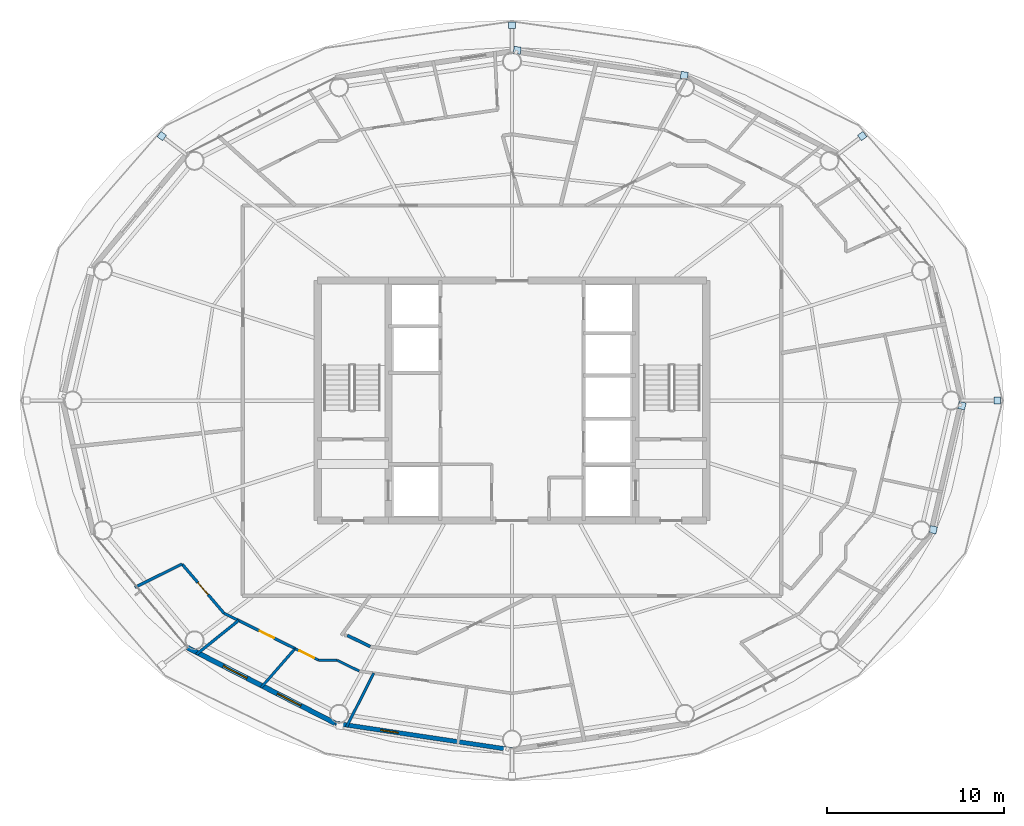
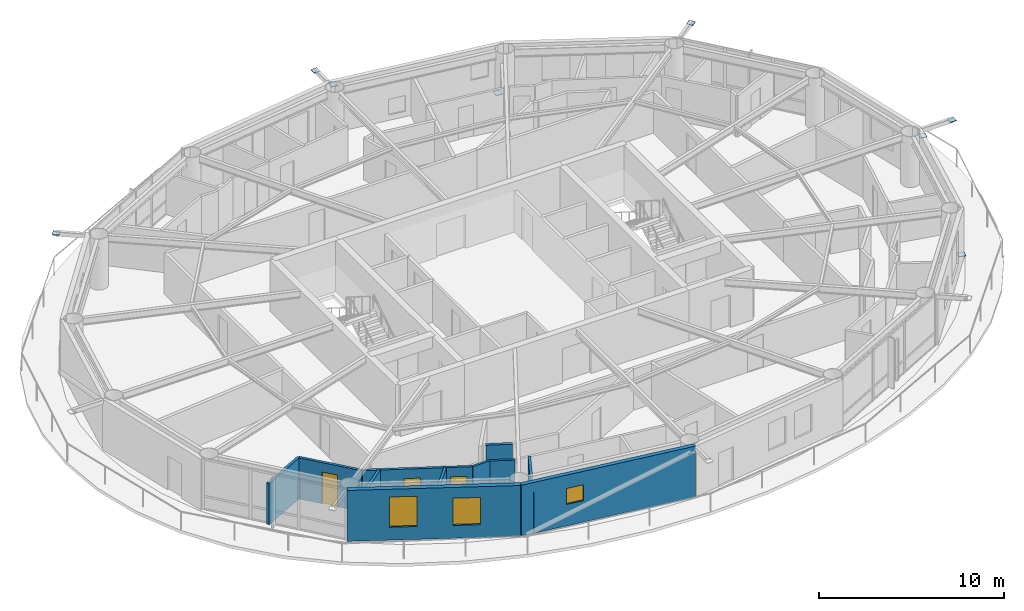
# One storey, part 15 of 23: 12 walls, 8 plates, 3 doors, 3 windows, 6 openings.
"""IFC4 building model written with IfcOpenShell, lengths in metres."""

from ifc_helpers import new_model, si_unit, direction, frame, frame_2d, origin, origin_2d, place, context, subcontext, project, spatial, rectangle, extrude, material, layer, layer_set, type_object, element, fill, save


model = new_model("IFC4")

# Units and contexts
model_context = context("Model", 3, precision=1e-05, world=origin(), true_north=direction((0.0, 1.0)))
body_context = subcontext(model_context, "Body", "Model", "MODEL_VIEW")
ifc_project = project(units=[si_unit("LENGTHUNIT", "METRE"), si_unit("AREAUNIT", "SQUARE_METRE"), si_unit("VOLUMEUNIT", "CUBIC_METRE"), si_unit("PLANEANGLEUNIT", "RADIAN"), si_unit("MASSUNIT", "GRAM", prefix="KILO")], contexts=[model_context])

# Site, building, storey
site_placement = place(None, origin())
site = spatial("IfcSite", under=ifc_project, at=site_placement, CompositionType="ELEMENT")
building_placement = place(site_placement, origin())
building = spatial("IfcBuilding", under=site, at=building_placement, Name="Sarneth Arch Tower", CompositionType="ELEMENT")
storey_placement = place(building_placement, frame((0.0, 0.0, 249.60009765625)))
storey = spatial("IfcBuildingStorey", under=building, at=storey_placement, Name="L64", CompositionType="ELEMENT", Elevation=249.60009765625)

# Plates
ifc_material_1 = material(Name="Steel S355", Category="steel")
ifc_layer_1 = layer(ifc_material_1, 0.035888671875)
ifc_layer_set_1 = layer_set([ifc_layer_1], Name="Steel S355")
plate_type = type_object("IfcPlateType", Name="PLT-GUSSET-30", PredefinedType="SHEET", material=ifc_layer_set_1)
for number, where, z_axis, x_axis, name in (
    (1, (75.483154296875, 42.0, 3.18212890625), (0.0, 0.0, 1.0), (1.0, 0.0, 0.0), "Steel end cap plate GP-1"),
    (2, (67.83056640625, 56.977783203125, 3.18212890625), (0.0, 0.0, 1.0), (0.798004853043, 0.602651022168, 0.0), "Steel end cap plate GP-1"),
):
    element("IfcPlate", number, at=place(storey_placement, frame(where, z_axis=z_axis, x_axis=x_axis)), inside=storey, type_object=plate_type, Name=name, PredefinedType="SHEET", context=body_context, shape_type="SweptSolid", body=[
        extrude(rectangle(XDim=0.3798828125, YDim=0.3798828125, at=origin_2d()), origin(), (0.0, 0.0, 1.0), 0.035888671875),
    ])
for number, where, z_axis, x_axis, name in (
    (3, (57.754150390625, 60.411376953125, 0.001953125), (0.0, 0.0, 1.0), (-0.988860535448, 0.148845024885, 0.0), "Steel end cap plate GP-1"),
    (4, (48.296630859375, 61.83544921875, 3.0185546875), (0.0, 0.0, 1.0), (-0.988860535448, 0.148845024885, 0.0), "Steel end cap plate GP-1"),
):
    element("IfcPlate", number, at=place(storey_placement, frame(where, z_axis=z_axis, x_axis=x_axis)), inside=storey, type_object=plate_type, Name=name, PredefinedType="SHEET", context=body_context, shape_type="SweptSolid", body=[
        extrude(rectangle(XDim=0.404052734375, YDim=0.404052734375, at=origin_2d()), origin(), (0.0, 0.0, 1.0), 0.035888671875),
    ])
for number, where, z_axis, x_axis, name in (
    (5, (48.0, 63.25, 3.18212890625), (0.0, 0.0, 1.0), (0.0, 1.0, 0.0), "Steel end cap plate GP-1"),
    (6, (28.16943359375, 56.977783203125, 3.18212890625), (0.0, 0.0, 1.0), (-0.798004853043, 0.602651022168, 0.0), "Steel end cap plate GP-1"),
):
    element("IfcPlate", number, at=place(storey_placement, frame(where, z_axis=z_axis, x_axis=x_axis)), inside=storey, type_object=plate_type, Name=name, PredefinedType="SHEET", context=body_context, shape_type="SweptSolid", body=[
        extrude(rectangle(XDim=0.3798828125, YDim=0.3798828125, at=origin_2d()), origin(), (0.0, 0.0, 1.0), 0.035888671875),
    ])
for number, where, z_axis, x_axis, name in (
    (7, (71.851806640625, 34.6845703125, 0.001953125), (0.0, 0.0, 1.0), (0.225461202458, 0.974252147129, 0.0), "Steel end cap plate GP-1"),
    (8, (73.4765625, 41.707763671875, 3.0185546875), (0.0, 0.0, 1.0), (0.225461202458, 0.974252147129, 0.0), "Steel end cap plate GP-1"),
):
    element("IfcPlate", number, at=place(storey_placement, frame(where, z_axis=z_axis, x_axis=x_axis)), inside=storey, type_object=plate_type, Name=name, PredefinedType="SHEET", context=body_context, shape_type="SweptSolid", body=[
        extrude(rectangle(XDim=0.404052734375, YDim=0.404052734375, at=origin_2d()), origin(), (0.0, 0.0, 1.0), 0.035888671875),
    ])

# Wall, opening, window
ifc_material_2 = material(Name="Extruded terracotta rainscreen on Concrete C40/50 backing", Category="masonry")
ifc_layer_2 = layer(ifc_material_2, 0.25)
ifc_layer_set_2 = layer_set([ifc_layer_2], Name="Extruded terracotta rainscreen on Concrete C40/50 backing")
wall_type_1 = type_object("IfcWallType", Name="WALL-EXT-SPAND-250", PredefinedType="SOLIDWALL", material=ifc_layer_set_2)
wall_1_placement = place(storey_placement, frame((37.9873046875, 23.7255859375, 0.0), z_axis=(0.0, 0.0, 1.0), x_axis=(0.988882522213, -0.148698881169, 0.0)))
wall_1 = element("IfcWall", 9, at=wall_1_placement, inside=storey, type_object=wall_type_1, Name="L64 Terracotta perimeter wall 12", PredefinedType="SOLIDWALL", context=body_context, shape_type="SweptSolid", body=[
    extrude(rectangle(XDim=10.125244140625, YDim=0.25, at=frame_2d((5.0625, 0.0))), origin(), (0.0, 0.0, 1.0), 3.35986328125),
])
opening_1_placement = place(wall_1_placement, frame((2.614013671875, 0.0, 1.419921875)))
opening_1 = element("IfcOpeningElement", 10, at=opening_1_placement, cuts=wall_1, Name="Opening W-14", PredefinedType="OPENING", context=body_context, shape_type="SweptSolid", body=[
    extrude(rectangle(XDim=1.0, YDim=1.050048828125, at=frame_2d((0.5, 0.52490234375))), frame((0.0, 0.135009765625, 0.0), z_axis=(0.0, -1.0, 0.0), x_axis=(1.0, 0.0, 0.0)), (0.0, 0.0, 1.0), 0.27001953125),
])
ifc_material_3 = material(Name="Thermally broken Aluminium 6063-T6 and low-e laminated IGU", Category="aluminium")
window_type_1 = type_object("IfcWindowType", Name="WIN-TWR-1000x1050", PartitioningType="SINGLE_PANEL", PredefinedType="WINDOW", material=ifc_material_3)
window_1_placement = place(opening_1_placement, origin())
window_1 = element("IfcWindow", 11, at=window_1_placement, inside=storey, type_object=window_type_1, Name="L64 Dwelling bedroom window 03", OverallHeight=1.050048828125, OverallWidth=1.0, PartitioningType="SINGLE_PANEL", PredefinedType="WINDOW", context=body_context, shape_type="SweptSolid", body=[
    extrude(rectangle(XDim=1.0, YDim=1.050048828125, at=frame_2d((0.5, 0.52490234375))), frame((0.0, 0.030029296875, 0.0), z_axis=(0.0, -1.0, 0.0), x_axis=(1.0, 0.0, 0.0)), (0.0, 0.0, 1.0), 0.06005859375),
])
fill(opening_1, window_1)

# Wall, openings, windows
ifc_material_4 = material(Name="Extruded terracotta rainscreen on Concrete C40/50 backing", Category="masonry")
ifc_layer_3 = layer(ifc_material_4, 0.280029296875)
ifc_layer_set_3 = layer_set([ifc_layer_3], Name="Extruded terracotta rainscreen on Concrete C40/50 backing")
wall_type_2 = type_object("IfcWallType", Name="WALL-EXT-TERRA-280", PredefinedType="SOLIDWALL", material=ifc_layer_set_3)
wall_2_placement = place(storey_placement, frame((29.617431640625, 28.013427734375, 0.0), z_axis=(0.0, 0.0, 1.0), x_axis=(0.890007394051, -0.455946091699, 0.0)))
wall_2 = element("IfcWall", 12, at=wall_2_placement, inside=storey, type_object=wall_type_2, Name="L64 Terracotta perimeter wall 11", PredefinedType="SOLIDWALL", context=body_context, shape_type="SweptSolid", body=[
    extrude(rectangle(XDim=9.404296875, YDim=0.280029296875, at=frame_2d((4.7021484375, 0.0))), origin(), (0.0, 0.0, 1.0), 3.35986328125),
])
opening_2_placement = place(wall_2_placement, frame((2.28564453125, 0.0, 0.85009765625)))
opening_2 = element("IfcOpeningElement", 13, at=opening_2_placement, cuts=wall_2, Name="Opening W-06", PredefinedType="OPENING", context=body_context, shape_type="SweptSolid", body=[
    extrude(rectangle(XDim=1.5, YDim=2.0, at=frame_2d((0.75, 1.0))), frame((0.0, 0.14990234375, 0.0), z_axis=(0.0, -1.0, 0.0), x_axis=(1.0, 0.0, 0.0)), (0.0, 0.0, 1.0), 0.300048828125),
])
opening_3_placement = place(wall_2_placement, frame((5.7265625, 0.0, 0.85009765625)))
opening_3 = element("IfcOpeningElement", 14, at=opening_3_placement, cuts=wall_2, Name="Opening W-07", PredefinedType="OPENING", context=body_context, shape_type="SweptSolid", body=[
    extrude(rectangle(XDim=1.5, YDim=1.800048828125, at=frame_2d((0.75, 0.89990234375))), frame((0.0, 0.14990234375, 0.0), z_axis=(0.0, -1.0, 0.0), x_axis=(1.0, 0.0, 0.0)), (0.0, 0.0, 1.0), 0.300048828125),
])
ifc_material_5 = material(Name="Thermally broken Aluminium 6063-T6 and low-e laminated IGU", Category="aluminium")
window_type_2 = type_object("IfcWindowType", Name="WIN-TWR-1500x1800", PartitioningType="SINGLE_PANEL", PredefinedType="WINDOW", material=ifc_material_5)
window_2_placement = place(opening_3_placement, origin())
window_2 = element("IfcWindow", 15, at=window_2_placement, inside=storey, type_object=window_type_2, Name="L64 Exterior window 11B", OverallHeight=1.800048828125, OverallWidth=1.5, PartitioningType="SINGLE_PANEL", PredefinedType="WINDOW", context=body_context, shape_type="SweptSolid", body=[
    extrude(rectangle(XDim=1.5, YDim=1.800048828125, at=frame_2d((0.75, 0.89990234375))), frame((0.0, 0.030029296875, 0.0), z_axis=(0.0, -1.0, 0.0), x_axis=(1.0, 0.0, 0.0)), (0.0, 0.0, 1.0), 0.06005859375),
])
fill(opening_3, window_2)
ifc_material_6 = material(Name="Thermally broken Aluminium 6063-T6 and low-e laminated IGU", Category="aluminium")
window_type_3 = type_object("IfcWindowType", Name="WIN-TWR-1500x2000", PartitioningType="SINGLE_PANEL", PredefinedType="WINDOW", material=ifc_material_6)
window_3_placement = place(opening_2_placement, origin())
window_3 = element("IfcWindow", 16, at=window_3_placement, inside=storey, type_object=window_type_3, Name="L64 Exterior window 11A", OverallHeight=2.0, OverallWidth=1.5, PartitioningType="SINGLE_PANEL", PredefinedType="WINDOW", context=body_context, shape_type="SweptSolid", body=[
    extrude(rectangle(XDim=1.5, YDim=2.0, at=frame_2d((0.75, 1.0))), frame((0.0, 0.030029296875, 0.0), z_axis=(0.0, -1.0, 0.0), x_axis=(1.0, 0.0, 0.0)), (0.0, 0.0, 1.0), 0.06005859375),
])
fill(opening_2, window_3)

# Wall, opening, door
ifc_material_7 = material(Name="Apartment internal stud partition", Category="gypsum")
ifc_layer_4 = layer(ifc_material_7, 0.139892578125)
ifc_layer_set_4 = layer_set([ifc_layer_4], Name="Apartment internal stud partition")
wall_type_3 = type_object("IfcWallType", Name="WALL-PART-140", PredefinedType="PARTITIONING", material=ifc_layer_set_4)
wall_3_placement = place(storey_placement, frame((35.719482421875, 27.95458984375, 0.0), z_axis=(0.0, 0.0, 1.0), x_axis=(0.895454269924, -0.445153513381, 0.0)))
wall_3 = element("IfcWall", 17, at=wall_3_placement, inside=storey, type_object=wall_type_3, Name="L64 Interior partition W-L64-TP-068", PredefinedType="PARTITIONING", context=body_context, shape_type="SweptSolid", body=[
    extrude(rectangle(XDim=1.470458984375, YDim=0.139892578125, at=frame_2d((0.7353515625, 0.0))), origin(), (0.0, 0.0, 1.0), 2.719970703125),
])
opening_4_placement = place(wall_3_placement, frame((0.28515625, 0.0, 0.0)))
opening_4 = element("IfcOpeningElement", 18, at=opening_4_placement, cuts=wall_3, Name="Opening ID-01", PredefinedType="OPENING", context=body_context, shape_type="SweptSolid", body=[
    extrude(rectangle(XDim=0.89990234375, YDim=2.10009765625, at=frame_2d((0.449951171875, 1.050048828125))), frame((0.0, 0.079833984375, 0.0), z_axis=(0.0, -1.0, 0.0), x_axis=(1.0, 0.0, 0.0)), (0.0, 0.0, 1.0), 0.159912109375),
])
ifc_material_8 = material(Name="Engineered hardwood flush door", Category="wood")
door_type = type_object("IfcDoorType", Name="DR-INT-900", OperationType="SINGLE_SWING_LEFT", PredefinedType="DOOR", material=ifc_material_8)
door_1_placement = place(opening_4_placement, origin())
door_1 = element("IfcDoor", 19, at=door_1_placement, inside=storey, type_object=door_type, Name="L64 Interior door DR-L64-U4-BED1", OperationType="SINGLE_SWING_RIGHT", OverallHeight=2.10009765625, OverallWidth=0.89990234375, PredefinedType="DOOR", context=body_context, shape_type="SweptSolid", body=[
    extrude(rectangle(XDim=0.89990234375, YDim=2.10009765625, at=frame_2d((0.449951171875, 1.050048828125))), frame((0.0, 0.02490234375, 0.0), z_axis=(0.0, -1.0, 0.0), x_axis=(1.0, 0.0, 0.0)), (0.0, 0.0, 1.0), 0.050048828125),
])
fill(opening_4, door_1)

# Walls
wall_4_placement = place(storey_placement, frame((38.101318359375, 27.300048828125, 0.0), z_axis=(0.0, 0.0, 1.0), x_axis=(0.895584310315, -0.444891833053, 0.0)))
element("IfcWall", 20, at=wall_4_placement, inside=storey, type_object=wall_type_3, Name="L64 Interior partition W-L64-TP-070", PredefinedType="PARTITIONING", context=body_context, shape_type="SweptSolid", body=[
    extrude(rectangle(XDim=1.388916015625, YDim=0.139892578125, at=frame_2d((0.6943359375, 0.0))), origin(), (0.0, 0.0, 1.0), 2.719970703125),
])
wall_5_placement = place(storey_placement, frame((37.0361328125, 27.300048828125, 0.0), z_axis=(0.0, 0.0, 1.0), x_axis=(1.0, 0.0, 0.0)))
element("IfcWall", 21, at=wall_5_placement, inside=storey, type_object=wall_type_3, Name="L64 Interior partition W-L64-TP-069", PredefinedType="PARTITIONING", context=body_context, shape_type="SweptSolid", body=[
    extrude(rectangle(XDim=1.065185546875, YDim=0.139892578125, at=frame_2d((0.53271484375, 0.0))), origin(), (0.0, 0.0, 1.0), 2.719970703125),
])
ifc_material_9 = material(Name="Acoustic gypsum stud partition", Category="gypsum")
ifc_layer_5 = layer(ifc_material_9, 0.14990234375)
ifc_layer_set_5 = layer_set([ifc_layer_5], Name="Acoustic gypsum stud partition")
wall_type_4 = type_object("IfcWallType", Name="WALL-PART-150", PredefinedType="PARTITIONING", material=ifc_layer_set_5)
wall_6_placement = place(storey_placement, frame((40.17236328125, 26.5615234375, 0.0), z_axis=(0.0, 0.0, 1.0), x_axis=(-0.452265757691, -0.891883223533, 0.0)))
element("IfcWall", 22, at=wall_6_placement, inside=storey, type_object=wall_type_4, Name="L64 Interior partition W-L64-TP-078", PredefinedType="PARTITIONING", context=body_context, shape_type="SweptSolid", body=[
    extrude(rectangle(XDim=3.41650390625, YDim=0.14990234375, at=frame_2d((1.708251953125, 0.0))), origin(), (0.0, 0.0, 1.0), 2.719970703125),
])
wall_7_placement = place(storey_placement, frame((35.719482421875, 27.95458984375, 0.0), z_axis=(0.0, 0.0, 1.0), x_axis=(-0.658257126569, -0.752793169019, 0.0)))
element("IfcWall", 23, at=wall_7_placement, inside=storey, type_object=wall_type_4, Name="L64 Interior partition W-L64-TP-077", PredefinedType="PARTITIONING", context=body_context, shape_type="SweptSolid", body=[
    extrude(rectangle(XDim=2.933837890625, YDim=0.14990234375, at=frame_2d((1.466796875, 0.0))), origin(), (0.0, 0.0, 1.0), 2.719970703125),
])

# Wall, opening, door
ifc_material_10 = material(Name="Kitchen wet service chase wall", Category="gypsum")
ifc_layer_6 = layer(ifc_material_10, 0.159912109375)
ifc_layer_set_6 = layer_set([ifc_layer_6], Name="Kitchen wet service chase wall")
wall_type_5 = type_object("IfcWallType", Name="WALL-PLUMB-160", PredefinedType="PLUMBINGWALL", material=ifc_layer_set_6)
wall_8_placement = place(storey_placement, frame((31.68896484375, 29.9580078125, 0.0), z_axis=(0.0, 0.0, 1.0), x_axis=(-0.648993169548, 0.7607942336, 0.0)))
wall_8 = element("IfcWall", 24, at=wall_8_placement, inside=storey, type_object=wall_type_5, Name="L64 Interior partition W-L64-TP-061", PredefinedType="PLUMBINGWALL", context=body_context, shape_type="SweptSolid", body=[
    extrude(rectangle(XDim=3.659912109375, YDim=0.159912109375, at=frame_2d((1.830078125, 0.0))), origin(), (0.0, 0.0, 1.0), 2.719970703125),
])
opening_5_placement = place(wall_8_placement, frame((1.3798828125, 0.0, 0.0)))
opening_5 = element("IfcOpeningElement", 25, at=opening_5_placement, cuts=wall_8, Name="Opening ID-01", PredefinedType="OPENING", context=body_context, shape_type="SweptSolid", body=[
    extrude(rectangle(XDim=0.89990234375, YDim=2.10009765625, at=frame_2d((0.449951171875, 1.050048828125))), frame((0.0, 0.08984375, 0.0), z_axis=(0.0, -1.0, 0.0), x_axis=(1.0, 0.0, 0.0)), (0.0, 0.0, 1.0), 0.179931640625),
])
door_2_placement = place(opening_5_placement, origin())
door_2 = element("IfcDoor", 26, at=door_2_placement, inside=storey, type_object=door_type, Name="L64 Interior door DR-L64-U4-KIT", OperationType="SINGLE_SWING_RIGHT", OverallHeight=2.10009765625, OverallWidth=0.89990234375, PredefinedType="DOOR", context=body_context, shape_type="SweptSolid", body=[
    extrude(rectangle(XDim=0.89990234375, YDim=2.10009765625, at=frame_2d((0.449951171875, 1.050048828125))), frame((0.0, 0.02490234375, 0.0), z_axis=(0.0, -1.0, 0.0), x_axis=(1.0, 0.0, 0.0)), (0.0, 0.0, 1.0), 0.050048828125),
])
fill(opening_5, door_2)

wall_9_placement = place(storey_placement, frame((31.68896484375, 29.9580078125, 0.0), z_axis=(0.0, 0.0, 1.0), x_axis=(0.895477004863, -0.445107777691, 0.0)))
wall_9 = element("IfcWall", 27, at=wall_9_placement, inside=storey, type_object=wall_type_5, Name="L64 Interior partition W-L64-TP-059", PredefinedType="PLUMBINGWALL", context=body_context, shape_type="SweptSolid", body=[
    extrude(rectangle(XDim=4.5009765625, YDim=0.159912109375, at=frame_2d((2.25048828125, 0.0))), origin(), (0.0, 0.0, 1.0), 2.719970703125),
])
opening_6_placement = place(wall_9_placement, frame((2.2626953125, 0.0, 0.0)))
opening_6 = element("IfcOpeningElement", 28, at=opening_6_placement, cuts=wall_9, Name="Opening ID-01", PredefinedType="OPENING", context=body_context, shape_type="SweptSolid", body=[
    extrude(rectangle(XDim=0.89990234375, YDim=2.10009765625, at=frame_2d((0.449951171875, 1.050048828125))), frame((0.0, 0.08984375, 0.0), z_axis=(0.0, -1.0, 0.0), x_axis=(1.0, 0.0, 0.0)), (0.0, 0.0, 1.0), 0.179931640625),
])
door_3_placement = place(opening_6_placement, origin())
door_3 = element("IfcDoor", 29, at=door_3_placement, inside=storey, type_object=door_type, Name="L64 Interior door DR-L64-U4-STD", OperationType="SINGLE_SWING_LEFT", OverallHeight=2.10009765625, OverallWidth=0.89990234375, PredefinedType="DOOR", context=body_context, shape_type="SweptSolid", body=[
    extrude(rectangle(XDim=0.89990234375, YDim=2.10009765625, at=frame_2d((0.449951171875, 1.050048828125))), frame((0.0, 0.02490234375, 0.0), z_axis=(0.0, -1.0, 0.0), x_axis=(1.0, 0.0, 0.0)), (0.0, 0.0, 1.0), 0.050048828125),
])
fill(opening_6, door_3)

# Walls
wall_10_placement = place(storey_placement, frame((30.130615234375, 27.62744140625, 0.0), z_axis=(0.0, 0.0, 1.0), x_axis=(0.779248157205, 0.62671549326, 0.0)))
element("IfcWall", 30, at=wall_10_placement, inside=storey, type_object=wall_type_5, Name="L64 Interior partition W-L64-TP-076", PredefinedType="PLUMBINGWALL", context=body_context, shape_type="SweptSolid", body=[
    extrude(rectangle(XDim=3.06201171875, YDim=0.159912109375, at=frame_2d((1.531005859375, 0.0))), origin(), (0.0, 0.0, 1.0), 2.719970703125),
])
wall_11_placement = place(storey_placement, frame((29.313720703125, 32.742431640625, 0.0), z_axis=(0.0, 0.0, 1.0), x_axis=(-0.896093729672, -0.443864875432, 0.0)))
element("IfcWall", 31, at=wall_11_placement, inside=storey, type_object=wall_type_5, Name="L64 Interior partition W-L64-TP-062", PredefinedType="PLUMBINGWALL", context=body_context, shape_type="SweptSolid", body=[
    extrude(rectangle(XDim=2.977294921875, YDim=0.159912109375, at=frame_2d((1.48876953125, 0.0))), origin(), (0.0, 0.0, 1.0), 2.719970703125),
])
ifc_material_11 = material(Name="Moisture-resistant plumbing chase wall", Category="gypsum")
ifc_layer_7 = layer(ifc_material_11, 0.179931640625)
ifc_layer_set_7 = layer_set([ifc_layer_7], Name="Moisture-resistant plumbing chase wall")
wall_type_6 = type_object("IfcWallType", Name="WALL-PLUMB-180", PredefinedType="PLUMBINGWALL", material=ifc_layer_set_7)
wall_12_placement = place(storey_placement, frame((38.67919921875, 28.699951171875, 0.0), z_axis=(0.0, 0.0, 1.0), x_axis=(0.898916394035, -0.438120207861, 0.0)))
element("IfcWall", 32, at=wall_12_placement, inside=storey, type_object=wall_type_6, Name="L64 Interior partition W-L64-TP-065", PredefinedType="PLUMBINGWALL", context=body_context, shape_type="SweptSolid", body=[
    extrude(rectangle(XDim=1.442626953125, YDim=0.179931640625, at=frame_2d((0.72119140625, 0.0))), origin(), (0.0, 0.0, 1.0), 2.719970703125),
])

save(model, "model.ifc")
